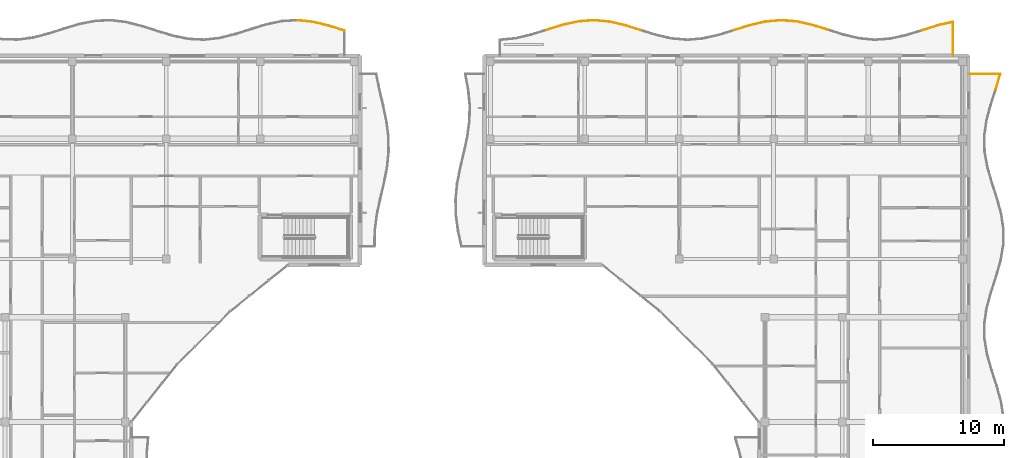
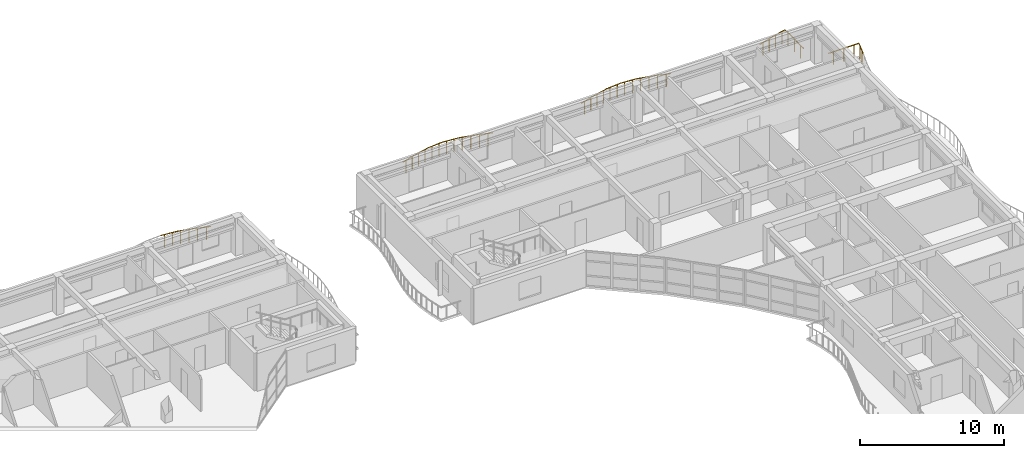
# One storey, part 76 of 76: 20 railings.
"""IFC4 building model written with IfcOpenShell, lengths in metres."""

from ifc_helpers import new_model, si_unit, direction, frame, origin, origin_2d, place, context, subcontext, project, spatial, circle, extrude, material, type_object, element, save


model = new_model("IFC4")

# Units and contexts
model_context = context("Model", 3, precision=1e-05, world=origin(), true_north=direction((0.0, 1.0)))
body_context = subcontext(model_context, "Body", "Model", "MODEL_VIEW")
ifc_project = project(units=[si_unit("LENGTHUNIT", "METRE"), si_unit("AREAUNIT", "SQUARE_METRE"), si_unit("VOLUMEUNIT", "CUBIC_METRE"), si_unit("PLANEANGLEUNIT", "RADIAN"), si_unit("MASSUNIT", "GRAM", prefix="KILO")], contexts=[model_context])

# Site, building, storey
site_placement = place(None, origin())
site = spatial("IfcSite", under=ifc_project, at=site_placement, CompositionType="ELEMENT")
building_placement = place(site_placement, origin())
building = spatial("IfcBuilding", under=site, at=building_placement, Name="Keldmere Railside Commons", CompositionType="ELEMENT")
storey_placement = place(building_placement, frame((0.0, 0.0, 13.760009765625)))
storey = spatial("IfcBuildingStorey", under=building, at=storey_placement, Name="L04", CompositionType="ELEMENT", Elevation=13.760009765625)

# Railings
ifc_material = material(Name="Steel F-24 (S235)", Category="steel")
railing_type = type_object("IfcRailingType", Name="Balcony & Terrace Steel Balustrade 1100", PredefinedType="BALUSTRADE", material=ifc_material)
railing_1_placement = place(storey_placement, frame((132.734375, 118.697998046875, 0.0)))
element("IfcRailing", 1, at=railing_1_placement, inside=storey, type_object=railing_type, Name="GR-1 GRD-L04-2270", PredefinedType="BALUSTRADE", context=body_context, shape_type="SweptSolid", body=[
    extrude(circle(Radius=0.02392578125, at=origin_2d()), frame((0.0, 0.0, 1.076171875), z_axis=(0.994386169739, -0.105811839754, 0.0), x_axis=(0.105811839754, 0.994386169739, 0.0)), (0.0, 0.0, 1.0), 1.195068359375),
    extrude(circle(Radius=0.02099609375, at=origin_2d()), frame((0.297119140625, -0.03173828125, 0.0)), (0.0, 0.0, 1.0), 1.048095703125),
    extrude(circle(Radius=0.02099609375, at=origin_2d()), frame((0.891357421875, -0.0947265625, 0.0)), (0.0, 0.0, 1.0), 1.048095703125),
])
railing_2_placement = place(storey_placement, frame((133.9228515625, 118.571533203125, 0.0)))
element("IfcRailing", 2, at=railing_2_placement, inside=storey, type_object=railing_type, Name="GR-1 GRD-L04-2271", PredefinedType="BALUSTRADE", context=body_context, shape_type="SweptSolid", body=[
    extrude(circle(Radius=0.02392578125, at=origin_2d()), frame((0.0, 0.0, 1.076171875), z_axis=(0.971580821428, -0.236708063725, 0.0), x_axis=(0.236708063725, 0.971580821428, 0.0)), (0.0, 0.0, 1.0), 1.22314453125),
    extrude(circle(Radius=0.02099609375, at=origin_2d()), frame((0.297119140625, -0.072265625, 0.0)), (0.0, 0.0, 1.0), 1.048095703125),
    extrude(circle(Radius=0.02099609375, at=origin_2d()), frame((0.891357421875, -0.21728515625, 0.0)), (0.0, 0.0, 1.0), 1.048095703125),
])
railing_3_placement = place(storey_placement, frame((135.111328125, 118.281982421875, 0.0)))
element("IfcRailing", 3, at=railing_3_placement, inside=storey, type_object=railing_type, Name="GR-1 GRD-L04-2272", PredefinedType="BALUSTRADE", context=body_context, shape_type="SweptSolid", body=[
    extrude(circle(Radius=0.02392578125, at=origin_2d()), frame((0.0, 0.0, 1.076171875), z_axis=(0.953164584999, -0.302452101833, 0.0), x_axis=(0.302452101833, 0.953164584999, 0.0)), (0.0, 0.0, 1.0), 1.2470703125),
    extrude(circle(Radius=0.02099609375, at=origin_2d()), frame((0.297119140625, -0.09423828125, 0.0)), (0.0, 0.0, 1.0), 1.048095703125),
    extrude(circle(Radius=0.02099609375, at=origin_2d()), frame((0.8916015625, -0.282958984375, 0.0)), (0.0, 0.0, 1.0), 1.048095703125),
])
railing_4_placement = place(storey_placement, frame((151.779296875, 117.971435546875, 0.0)))
element("IfcRailing", 4, at=railing_4_placement, inside=storey, type_object=railing_type, Name="GR-1 GRD-L04-3559", PredefinedType="BALUSTRADE", context=body_context, shape_type="SweptSolid", body=[
    extrude(circle(Radius=0.02392578125, at=origin_2d()), frame((0.0, 0.0, 1.076171875), z_axis=(0.955100376653, 0.296282416821, 0.0), x_axis=(-0.296282416821, 0.955100376653, 0.0)), (0.0, 0.0, 1.0), 1.249267578125),
    extrude(circle(Radius=0.02099609375, at=origin_2d()), frame((0.29833984375, 0.092529296875, 0.0)), (0.0, 0.0, 1.0), 1.048095703125),
    extrude(circle(Radius=0.02099609375, at=origin_2d()), frame((0.894775390625, 0.277587890625, 0.0)), (0.0, 0.0, 1.0), 1.048095703125),
])
railing_5_placement = place(storey_placement, frame((152.972412109375, 118.341552734375, 0.0)))
element("IfcRailing", 5, at=railing_5_placement, inside=storey, type_object=railing_type, Name="GR-1 GRD-L04-3560", PredefinedType="BALUSTRADE", context=body_context, shape_type="SweptSolid", body=[
    extrude(circle(Radius=0.02392578125, at=origin_2d()), frame((0.0, 0.0, 1.076171875), z_axis=(0.975975140421, 0.217881906732, 0.0), x_axis=(-0.217881906732, 0.975975140421, 0.0)), (0.0, 0.0, 1.0), 1.222412109375),
    extrude(circle(Radius=0.02099609375, at=origin_2d()), frame((0.29833984375, 0.066650390625, 0.0)), (0.0, 0.0, 1.0), 1.048095703125),
    extrude(circle(Radius=0.02099609375, at=origin_2d()), frame((0.894775390625, 0.19970703125, 0.0)), (0.0, 0.0, 1.0), 1.048095703125),
])
railing_6_placement = place(storey_placement, frame((154.16552734375, 118.60791015625, 0.0)))
element("IfcRailing", 6, at=railing_6_placement, inside=storey, type_object=railing_type, Name="GR-1 GRD-L04-3561", PredefinedType="BALUSTRADE", context=body_context, shape_type="SweptSolid", body=[
    extrude(circle(Radius=0.02392578125, at=origin_2d()), frame((0.0, 0.0, 1.076171875), z_axis=(0.997037660067, 0.076914916686, 0.0), x_axis=(-0.076914916686, 0.997037660067, 0.0)), (0.0, 0.0, 1.0), 1.19677734375),
    extrude(circle(Radius=0.02099609375, at=origin_2d()), frame((0.29833984375, 0.02294921875, 0.0)), (0.0, 0.0, 1.0), 1.048095703125),
    extrude(circle(Radius=0.02099609375, at=origin_2d()), frame((0.894775390625, 0.069091796875, 0.0)), (0.0, 0.0, 1.0), 1.048095703125),
])
railing_7_placement = place(storey_placement, frame((155.358642578125, 118.699951171875, 0.0)))
element("IfcRailing", 7, at=railing_7_placement, inside=storey, type_object=railing_type, Name="GR-1 GRD-L04-3562", PredefinedType="BALUSTRADE", context=body_context, shape_type="SweptSolid", body=[
    extrude(circle(Radius=0.02392578125, at=origin_2d()), frame((0.0, 0.0, 1.076171875), z_axis=(0.99602576814, -0.089065533185, 0.0), x_axis=(0.089065533185, 0.99602576814, 0.0)), (0.0, 0.0, 1.0), 1.19775390625),
    extrude(circle(Radius=0.02099609375, at=origin_2d()), frame((0.29833984375, -0.026611328125, 0.0)), (0.0, 0.0, 1.0), 1.048095703125),
    extrude(circle(Radius=0.02099609375, at=origin_2d()), frame((0.894775390625, -0.080078125, 0.0)), (0.0, 0.0, 1.0), 1.048095703125),
])
railing_8_placement = place(storey_placement, frame((156.5517578125, 118.59326171875, 0.0)))
element("IfcRailing", 8, at=railing_8_placement, inside=storey, type_object=railing_type, Name="GR-1 GRD-L04-3563", PredefinedType="BALUSTRADE", context=body_context, shape_type="SweptSolid", body=[
    extrude(circle(Radius=0.02392578125, at=origin_2d()), frame((0.0, 0.0, 1.076171875), z_axis=(0.974074459024, -0.226227647021, 0.0), x_axis=(0.226227647021, 0.974074459024, 0.0)), (0.0, 0.0, 1.0), 1.224853515625),
    extrude(circle(Radius=0.02099609375, at=origin_2d()), frame((0.29833984375, -0.0693359375, 0.0)), (0.0, 0.0, 1.0), 1.048095703125),
    extrude(circle(Radius=0.02099609375, at=origin_2d()), frame((0.894775390625, -0.207763671875, 0.0)), (0.0, 0.0, 1.0), 1.048095703125),
])
railing_9_placement = place(storey_placement, frame((157.744873046875, 118.316162109375, 0.0)))
element("IfcRailing", 9, at=railing_9_placement, inside=storey, type_object=railing_type, Name="GR-1 GRD-L04-3564", PredefinedType="BALUSTRADE", context=body_context, shape_type="SweptSolid", body=[
    extrude(circle(Radius=0.02392578125, at=origin_2d()), frame((0.0, 0.0, 1.076171875), z_axis=(0.954212073691, -0.299130938591, 0.0), x_axis=(0.299130938591, 0.954212073691, 0.0)), (0.0, 0.0, 1.0), 1.25048828125),
    extrude(circle(Radius=0.02099609375, at=origin_2d()), frame((0.29833984375, -0.093505859375, 0.0)), (0.0, 0.0, 1.0), 1.048095703125),
    extrude(circle(Radius=0.02099609375, at=origin_2d()), frame((0.894775390625, -0.280517578125, 0.0)), (0.0, 0.0, 1.0), 1.048095703125),
])
railing_10_placement = place(storey_placement, frame((166.0966796875, 117.9443359375, 0.0)))
element("IfcRailing", 10, at=railing_10_placement, inside=storey, type_object=railing_type, Name="GR-1 GRD-L04-3571", PredefinedType="BALUSTRADE", context=body_context, shape_type="SweptSolid", body=[
    extrude(circle(Radius=0.02392578125, at=origin_2d()), frame((0.0, 0.0, 1.076171875), z_axis=(0.954267792918, 0.298953139136, 0.0), x_axis=(-0.298953139136, 0.954267792918, 0.0)), (0.0, 0.0, 1.0), 1.250244140625),
    extrude(circle(Radius=0.02099609375, at=origin_2d()), frame((0.29833984375, 0.093505859375, 0.0)), (0.0, 0.0, 1.0), 1.048095703125),
    extrude(circle(Radius=0.02099609375, at=origin_2d()), frame((0.894775390625, 0.2802734375, 0.0)), (0.0, 0.0, 1.0), 1.048095703125),
])
railing_11_placement = place(storey_placement, frame((167.289794921875, 118.318115234375, 0.0)))
element("IfcRailing", 11, at=railing_11_placement, inside=storey, type_object=railing_type, Name="GR-1 GRD-L04-3572", PredefinedType="BALUSTRADE", context=body_context, shape_type="SweptSolid", body=[
    extrude(circle(Radius=0.02392578125, at=origin_2d()), frame((0.0, 0.0, 1.076171875), z_axis=(0.974206079237, 0.225660176324, 0.0), x_axis=(-0.225660176324, 0.974206079237, 0.0)), (0.0, 0.0, 1.0), 1.224609375),
    extrude(circle(Radius=0.02099609375, at=origin_2d()), frame((0.29833984375, 0.069091796875, 0.0)), (0.0, 0.0, 1.0), 1.048095703125),
    extrude(circle(Radius=0.02099609375, at=origin_2d()), frame((0.894775390625, 0.207275390625, 0.0)), (0.0, 0.0, 1.0), 1.048095703125),
])
railing_12_placement = place(storey_placement, frame((168.48291015625, 118.594482421875, 0.0)))
element("IfcRailing", 12, at=railing_12_placement, inside=storey, type_object=railing_type, Name="GR-1 GRD-L04-3573", PredefinedType="BALUSTRADE", context=body_context, shape_type="SweptSolid", body=[
    extrude(circle(Radius=0.02392578125, at=origin_2d()), frame((0.0, 0.0, 1.076171875), z_axis=(0.996114084336, 0.088072305451, 0.0), x_axis=(-0.088072305451, 0.996114084336, 0.0)), (0.0, 0.0, 1.0), 1.197509765625),
    extrude(circle(Radius=0.02099609375, at=origin_2d()), frame((0.29833984375, 0.0263671875, 0.0)), (0.0, 0.0, 1.0), 1.048095703125),
    extrude(circle(Radius=0.02099609375, at=origin_2d()), frame((0.89453125, 0.0791015625, 0.0)), (0.0, 0.0, 1.0), 1.048095703125),
])
railing_13_placement = place(storey_placement, frame((169.67578125, 118.699951171875, 0.0)))
element("IfcRailing", 13, at=railing_13_placement, inside=storey, type_object=railing_type, Name="GR-1 GRD-L04-3574", PredefinedType="BALUSTRADE", context=body_context, shape_type="SweptSolid", body=[
    extrude(circle(Radius=0.02392578125, at=origin_2d()), frame((0.0, 0.0, 1.076171875), z_axis=(0.996958922798, -0.077928853798, 0.0), x_axis=(0.077928853798, 0.996958922798, 0.0)), (0.0, 0.0, 1.0), 1.19677734375),
    extrude(circle(Radius=0.02099609375, at=origin_2d()), frame((0.29833984375, -0.0234375, 0.0)), (0.0, 0.0, 1.0), 1.048095703125),
    extrude(circle(Radius=0.02099609375, at=origin_2d()), frame((0.894775390625, -0.06982421875, 0.0)), (0.0, 0.0, 1.0), 1.048095703125),
])
railing_14_placement = place(storey_placement, frame((170.868896484375, 118.606689453125, 0.0)))
element("IfcRailing", 14, at=railing_14_placement, inside=storey, type_object=railing_type, Name="GR-1 GRD-L04-3575", PredefinedType="BALUSTRADE", context=body_context, shape_type="SweptSolid", body=[
    extrude(circle(Radius=0.02392578125, at=origin_2d()), frame((0.0, 0.0, 1.076171875), z_axis=(0.975847587871, -0.218452478234, 0.0), x_axis=(0.218452478234, 0.975847587871, 0.0)), (0.0, 0.0, 1.0), 1.22265625),
    extrude(circle(Radius=0.02099609375, at=origin_2d()), frame((0.29833984375, -0.06689453125, 0.0)), (0.0, 0.0, 1.0), 1.048095703125),
    extrude(circle(Radius=0.02099609375, at=origin_2d()), frame((0.894775390625, -0.2001953125, 0.0)), (0.0, 0.0, 1.0), 1.048095703125),
])
railing_15_placement = place(storey_placement, frame((172.06201171875, 118.339599609375, 0.0)))
element("IfcRailing", 15, at=railing_15_placement, inside=storey, type_object=railing_type, Name="GR-1 GRD-L04-3576", PredefinedType="BALUSTRADE", context=body_context, shape_type="SweptSolid", body=[
    extrude(circle(Radius=0.02392578125, at=origin_2d()), frame((0.0, 0.0, 1.076171875), z_axis=(0.955045058579, -0.29646068219, 0.0), x_axis=(0.29646068219, 0.955045058579, 0.0)), (0.0, 0.0, 1.0), 1.249267578125),
    extrude(circle(Radius=0.02099609375, at=origin_2d()), frame((0.29833984375, -0.092529296875, 0.0)), (0.0, 0.0, 1.0), 1.048095703125),
    extrude(circle(Radius=0.02099609375, at=origin_2d()), frame((0.894775390625, -0.27783203125, 0.0)), (0.0, 0.0, 1.0), 1.048095703125),
])
railing_16_placement = place(storey_placement, frame((180.413818359375, 117.917236328125, 0.0)))
element("IfcRailing", 16, at=railing_16_placement, inside=storey, type_object=railing_type, Name="GR-1 GRD-L04-3583", PredefinedType="BALUSTRADE", context=body_context, shape_type="SweptSolid", body=[
    extrude(circle(Radius=0.02392578125, at=origin_2d()), frame((0.0, 0.0, 1.076171875), z_axis=(0.953541371772, 0.301262099042, 0.0), x_axis=(-0.301262099042, 0.953541371772, 0.0)), (0.0, 0.0, 1.0), 1.251220703125),
    extrude(circle(Radius=0.02099609375, at=origin_2d()), frame((0.29833984375, 0.09423828125, 0.0)), (0.0, 0.0, 1.0), 1.048095703125),
    extrude(circle(Radius=0.02099609375, at=origin_2d()), frame((0.894775390625, 0.28271484375, 0.0)), (0.0, 0.0, 1.0), 1.048095703125),
])
railing_17_placement = place(storey_placement, frame((181.60693359375, 118.294189453125, 0.0)))
element("IfcRailing", 17, at=railing_17_placement, inside=storey, type_object=railing_type, Name="GR-1 GRD-L04-3584", PredefinedType="BALUSTRADE", context=body_context, shape_type="SweptSolid", body=[
    extrude(circle(Radius=0.02392578125, at=origin_2d()), frame((0.0, 0.0, 1.076171875), z_axis=(0.972472132712, 0.233019207572, 0.0), x_axis=(-0.233019207572, 0.972472132712, 0.0)), (0.0, 0.0, 1.0), 1.226806640625),
    extrude(circle(Radius=0.02099609375, at=origin_2d()), frame((0.29833984375, 0.071533203125, 0.0)), (0.0, 0.0, 1.0), 1.048095703125),
    extrude(circle(Radius=0.02099609375, at=origin_2d()), frame((0.894775390625, 0.21435546875, 0.0)), (0.0, 0.0, 1.0), 1.048095703125),
])
railing_18_placement = place(storey_placement, frame((182.800048828125, 118.580078125, 0.0)))
element("IfcRailing", 18, at=railing_18_placement, inside=storey, type_object=railing_type, Name="GR-1 GRD-L04-3585", PredefinedType="BALUSTRADE", context=body_context, shape_type="SweptSolid", body=[
    extrude(circle(Radius=0.02392578125, at=origin_2d()), frame((0.0, 0.0, 1.076171875), z_axis=(0.0, -1.0, 0.0), x_axis=(1.0, 0.0, 0.0)), (0.0, 0.0, 1.0), 2.580078125),
    extrude(circle(Radius=0.02099609375, at=origin_2d()), frame((0.0, -0.429931640625, 0.0)), (0.0, 0.0, 1.0), 1.048095703125),
    extrude(circle(Radius=0.02099609375, at=origin_2d()), frame((0.0, -1.2900390625, 0.0)), (0.0, 0.0, 1.0), 1.048095703125),
    extrude(circle(Radius=0.02099609375, at=origin_2d()), frame((0.0, -2.150146484375, 0.0)), (0.0, 0.0, 1.0), 1.048095703125),
])
railing_19_placement = place(storey_placement, frame((186.07861328125, 113.408203125, 0.0)))
element("IfcRailing", 19, at=railing_19_placement, inside=storey, type_object=railing_type, Name="GR-1 GRD-L04-3660", PredefinedType="BALUSTRADE", context=body_context, shape_type="SweptSolid", body=[
    extrude(circle(Radius=0.02392578125, at=origin_2d()), frame((0.0, 0.0, 1.076171875), z_axis=(0.281825818952, 0.959465584465, 0.0), x_axis=(-0.959465584465, 0.281825818952, 0.0)), (0.0, 0.0, 1.0), 1.2421875),
    extrude(circle(Radius=0.02099609375, at=origin_2d()), frame((0.08740234375, 0.2978515625, 0.0)), (0.0, 0.0, 1.0), 1.048095703125),
    extrude(circle(Radius=0.02099609375, at=origin_2d()), frame((0.2626953125, 0.89404296875, 0.0)), (0.0, 0.0, 1.0), 1.048095703125),
])
railing_20_placement = place(storey_placement, frame((186.4287109375, 114.60009765625, 0.0)))
element("IfcRailing", 20, at=railing_20_placement, inside=storey, type_object=railing_type, Name="GR-1 GRD-L04-3661", PredefinedType="BALUSTRADE", context=body_context, shape_type="SweptSolid", body=[
    extrude(circle(Radius=0.02392578125, at=origin_2d()), frame((0.0, 0.0, 1.076171875), z_axis=(-1.0, 0.0, 0.0), x_axis=(0.0, -1.0, 0.0)), (0.0, 0.0, 1.0), 2.4287109375),
    extrude(circle(Radius=0.02099609375, at=origin_2d()), frame((-0.40478515625, 0.0, 0.0)), (0.0, 0.0, 1.0), 1.048095703125),
    extrude(circle(Radius=0.02099609375, at=origin_2d()), frame((-1.21435546875, 0.0, 0.0)), (0.0, 0.0, 1.0), 1.048095703125),
    extrude(circle(Radius=0.02099609375, at=origin_2d()), frame((-2.02392578125, 0.0, 0.0)), (0.0, 0.0, 1.0), 1.048095703125),
])

save(model, "model.ifc")
